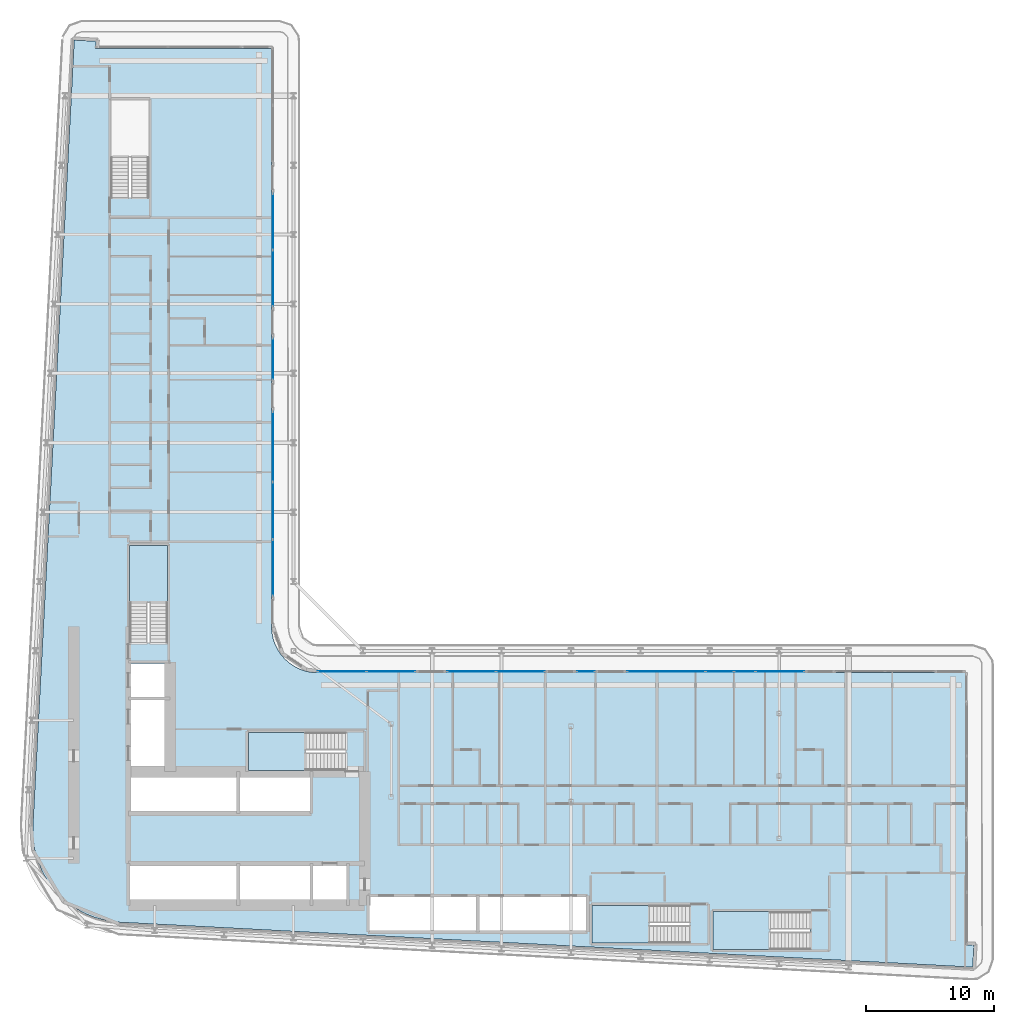
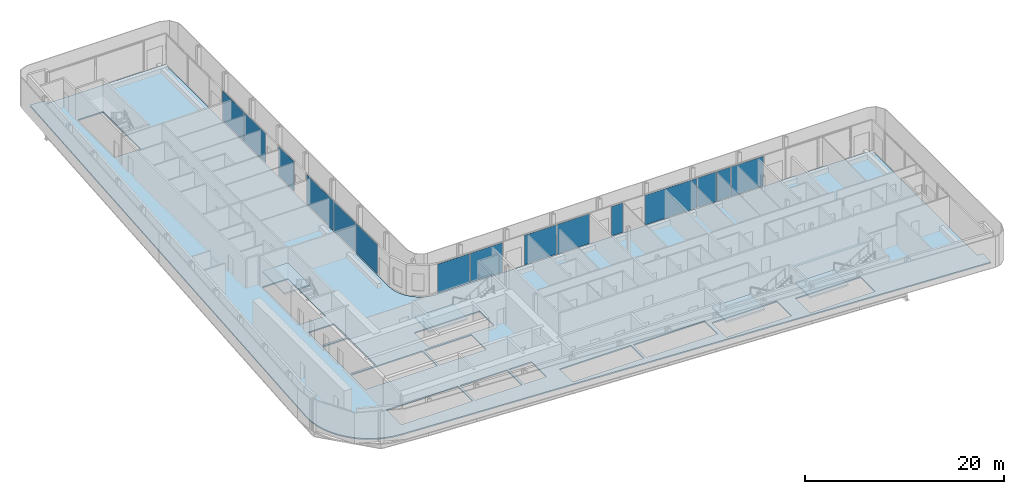
# One storey, part 10 of 25: 15 plates, 5 slabs, 13 elements without a shape of their own.
"""IFC4 building model written with IfcOpenShell, lengths in metres."""

from ifc_helpers import new_model, si_unit, direction, frame, origin, origin_2d, place, context, subcontext, project, spatial, polyline, rectangle, outline, extrude, material, layer, layer_set, type_object, element, aggregate, save


model = new_model("IFC4")

# Units and contexts
model_context = context("Model", 3, precision=1e-05, world=origin(), true_north=direction((0.0, 1.0)))
body_context = subcontext(model_context, "Body", "Model", "MODEL_VIEW")
ifc_project = project(units=[si_unit("LENGTHUNIT", "METRE"), si_unit("AREAUNIT", "SQUARE_METRE"), si_unit("VOLUMEUNIT", "CUBIC_METRE"), si_unit("PLANEANGLEUNIT", "RADIAN"), si_unit("MASSUNIT", "GRAM", prefix="KILO")], contexts=[model_context])

# Site, building, storey
site_placement = place(None, origin())
site = spatial("IfcSite", under=ifc_project, at=site_placement, CompositionType="ELEMENT")
building_placement = place(site_placement, origin())
building = spatial("IfcBuilding", under=site, at=building_placement, Name="Kheshtan School and Residences Tower", CompositionType="ELEMENT")
storey_placement = place(building_placement, frame((0.0, 0.0, 113.60009765625)))
storey = spatial("IfcBuildingStorey", under=building, at=storey_placement, Name="L26", CompositionType="ELEMENT", Elevation=113.60009765625)

# Curtain wall, plates
ifc_material_1 = material(Name="Clear low-e glass in thermally broken aluminium frame", Category="aluminium")
ifc_layer_1 = layer(ifc_material_1, 0.199951171875)
ifc_layer_set_1 = layer_set([ifc_layer_1], Name="Curtain wall CW-L")
curtain_wall_type = type_object("IfcCurtainWallType", Name="Curtain wall CW-L", PredefinedType="NOTDEFINED", material=ifc_layer_set_1)
curtain_wall_1_placement = place(storey_placement, origin())
curtain_wall_1 = element("IfcCurtainWall", 1, at=curtain_wall_1_placement, inside=storey, type_object=curtain_wall_type, Name="Curtain wall CWL4e", PredefinedType="NOTDEFINED")
ifc_layer_2 = layer(ifc_material_1, 0.031982421875)
ifc_layer_set_2 = layer_set([ifc_layer_2], Name="CW-L glass panel")
plate_type = type_object("IfcPlateType", Name="CW-L glass panel", PredefinedType="CURTAIN_PANEL", material=ifc_layer_set_2)
plate_1_placement = place(storey_placement, frame((46.0, 79.000732421875, 0.0), z_axis=(0.0, 0.0, 1.0), x_axis=(0.0, -1.0, 0.0)))
plate_1 = element("IfcPlate", 2, at=plate_1_placement, type_object=plate_type, Name="CWL4e panel 1.1", PredefinedType="CURTAIN_PANEL", context=body_context, shape_type="SweptSolid", body=[
    extrude(rectangle(XDim=4.34375, YDim=0.031982421875, at=origin_2d()), origin(), (0.0, 0.0, 1.0), 3.6298828125),
])
plate_2_placement = place(storey_placement, frame((46.0, 74.596923828125, 0.0), z_axis=(0.0, 0.0, 1.0), x_axis=(0.0, -1.0, 0.0)))
plate_2 = element("IfcPlate", 3, at=plate_2_placement, type_object=plate_type, Name="CWL4e panel 2.1", PredefinedType="CURTAIN_PANEL", context=body_context, shape_type="SweptSolid", body=[
    extrude(rectangle(XDim=4.34375, YDim=0.031982421875, at=origin_2d()), origin(), (0.0, 0.0, 1.0), 3.6298828125),
])
aggregate(curtain_wall_1, [plate_1, plate_2])

# Curtain wall, plate
curtain_wall_2_placement = place(storey_placement, origin())
curtain_wall_2 = element("IfcCurtainWall", 4, at=curtain_wall_2_placement, inside=storey, type_object=curtain_wall_type, Name="Curtain wall CWL4f", PredefinedType="NOTDEFINED")
plate_3_placement = place(storey_placement, frame((46.0, 68.31494140625, 0.0), z_axis=(0.0, 0.0, 1.0), x_axis=(0.0, -1.0, 0.0)))
plate_3 = element("IfcPlate", 5, at=plate_3_placement, type_object=plate_type, Name="CWL4f panel 1.1", PredefinedType="CURTAIN_PANEL", context=body_context, shape_type="SweptSolid", body=[
    extrude(rectangle(XDim=3.179931640625, YDim=0.031982421875, at=origin_2d()), origin(), (0.0, 0.0, 1.0), 3.6298828125),
])
aggregate(curtain_wall_2, [plate_3])

curtain_wall_3_placement = place(storey_placement, origin())
curtain_wall_3 = element("IfcCurtainWall", 6, at=curtain_wall_3_placement, inside=storey, type_object=curtain_wall_type, Name="Curtain wall CWL4g", PredefinedType="NOTDEFINED")
plate_4_placement = place(storey_placement, frame((46.0, 61.481201171875, 0.0), z_axis=(0.0, 0.0, 1.0), x_axis=(0.0, -1.0, 0.0)))
plate_4 = element("IfcPlate", 7, at=plate_4_placement, type_object=plate_type, Name="CWL4g panel 1.1", PredefinedType="CURTAIN_PANEL", context=body_context, shape_type="SweptSolid", body=[
    extrude(rectangle(XDim=5.447509765625, YDim=0.031982421875, at=origin_2d()), origin(), (0.0, 0.0, 1.0), 3.6298828125),
])
aggregate(curtain_wall_3, [plate_4])

# Curtain wall, plates
curtain_wall_4_placement = place(storey_placement, origin())
curtain_wall_4 = element("IfcCurtainWall", 8, at=curtain_wall_4_placement, inside=storey, type_object=curtain_wall_type, Name="Curtain wall CWL4b", PredefinedType="NOTDEFINED")
plate_5_placement = place(storey_placement, frame((46.0, 56.49560546875, 0.0), z_axis=(0.0, 0.0, 1.0), x_axis=(0.0, -1.0, 0.0)))
plate_5 = element("IfcPlate", 9, at=plate_5_placement, type_object=plate_type, Name="CWL4b panel 1.1", PredefinedType="CURTAIN_PANEL", context=body_context, shape_type="SweptSolid", body=[
    extrude(rectangle(XDim=4.40380859375, YDim=0.031982421875, at=origin_2d()), origin(), (0.0, 0.0, 1.0), 3.6298828125),
])
plate_6_placement = place(storey_placement, frame((46.0, 52.061767578125, 0.0), z_axis=(0.0, 0.0, 1.0), x_axis=(0.0, -1.0, 0.0)))
plate_6 = element("IfcPlate", 10, at=plate_6_placement, type_object=plate_type, Name="CWL4b panel 2.1", PredefinedType="CURTAIN_PANEL", context=body_context, shape_type="SweptSolid", body=[
    extrude(rectangle(XDim=4.34375, YDim=0.031982421875, at=origin_2d()), origin(), (0.0, 0.0, 1.0), 3.6298828125),
])
aggregate(curtain_wall_4, [plate_5, plate_6])

curtain_wall_5_placement = place(storey_placement, origin())
curtain_wall_5 = element("IfcCurtainWall", 11, at=curtain_wall_5_placement, inside=storey, type_object=curtain_wall_type, Name="Curtain wall CWL8", PredefinedType="NOTDEFINED")
plate_7_placement = place(storey_placement, frame((51.368408203125, 44.0, 0.0), z_axis=(0.0, 0.0, 1.0), x_axis=(1.0, 0.0, 0.0)))
plate_7 = element("IfcPlate", 12, at=plate_7_placement, type_object=plate_type, Name="CWL8 panel 1.1", PredefinedType="CURTAIN_PANEL", context=body_context, shape_type="SweptSolid", body=[
    extrude(rectangle(XDim=3.757080078125, YDim=0.031982421875, at=origin_2d()), origin(), (0.0, 0.0, 1.0), 3.6298828125),
])
plate_8_placement = place(storey_placement, frame((55.185546875, 44.0, 0.0), z_axis=(0.0, 0.0, 1.0), x_axis=(1.0, 0.0, 0.0)))
plate_8 = element("IfcPlate", 13, at=plate_8_placement, type_object=plate_type, Name="CWL8 panel 2.1", PredefinedType="CURTAIN_PANEL", context=body_context, shape_type="SweptSolid", body=[
    extrude(rectangle(XDim=3.757080078125, YDim=0.031982421875, at=origin_2d()), origin(), (0.0, 0.0, 1.0), 3.6298828125),
])
aggregate(curtain_wall_5, [plate_7, plate_8])

curtain_wall_6_placement = place(storey_placement, origin())
curtain_wall_6 = element("IfcCurtainWall", 14, at=curtain_wall_6_placement, inside=storey, type_object=curtain_wall_type, Name="Curtain wall CWL8", PredefinedType="NOTDEFINED")
plate_9_placement = place(storey_placement, frame((61.46240234375, 44.0, 0.0), z_axis=(0.0, 0.0, 1.0), x_axis=(1.0, 0.0, 0.0)))
plate_9 = element("IfcPlate", 15, at=plate_9_placement, type_object=plate_type, Name="CWL8 panel 1.1", PredefinedType="CURTAIN_PANEL", context=body_context, shape_type="SweptSolid", body=[
    extrude(rectangle(XDim=3.757080078125, YDim=0.031982421875, at=origin_2d()), origin(), (0.0, 0.0, 1.0), 3.6298828125),
])
plate_10_placement = place(storey_placement, frame((65.279541015625, 44.0, 0.0), z_axis=(0.0, 0.0, 1.0), x_axis=(1.0, 0.0, 0.0)))
plate_10 = element("IfcPlate", 16, at=plate_10_placement, type_object=plate_type, Name="CWL8 panel 2.1", PredefinedType="CURTAIN_PANEL", context=body_context, shape_type="SweptSolid", body=[
    extrude(rectangle(XDim=3.757080078125, YDim=0.031982421875, at=origin_2d()), origin(), (0.0, 0.0, 1.0), 3.6298828125),
])
aggregate(curtain_wall_6, [plate_9, plate_10])

# Curtain wall, plate
curtain_wall_7_placement = place(storey_placement, origin())
curtain_wall_7 = element("IfcCurtainWall", 17, at=curtain_wall_7_placement, inside=storey, type_object=curtain_wall_type, Name="Curtain wall CWL8a", PredefinedType="NOTDEFINED")
plate_11_placement = place(storey_placement, frame((70.367919921875, 44.0, 0.0), z_axis=(0.0, 0.0, 1.0), x_axis=(1.0, 0.0, 0.0)))
plate_11 = element("IfcPlate", 18, at=plate_11_placement, type_object=plate_type, Name="CWL8a panel 1.1", PredefinedType="CURTAIN_PANEL", context=body_context, shape_type="SweptSolid", body=[
    extrude(rectangle(XDim=1.3798828125, YDim=0.031982421875, at=origin_2d()), origin(), (0.0, 0.0, 1.0), 3.6298828125),
])
aggregate(curtain_wall_7, [plate_11])

curtain_wall_8_placement = place(storey_placement, origin())
curtain_wall_8 = element("IfcCurtainWall", 19, at=curtain_wall_8_placement, inside=storey, type_object=curtain_wall_type, Name="Curtain wall CWL8d", PredefinedType="NOTDEFINED")
plate_12_placement = place(storey_placement, frame((76.614990234375, 44.0, 0.0), z_axis=(0.0, 0.0, 1.0), x_axis=(1.0, 0.0, 0.0)))
plate_12 = element("IfcPlate", 20, at=plate_12_placement, type_object=plate_type, Name="CWL8d panel 1.1", PredefinedType="CURTAIN_PANEL", context=body_context, shape_type="SweptSolid", body=[
    extrude(rectangle(XDim=6.073974609375, YDim=0.031982421875, at=origin_2d()), origin(), (0.0, 0.0, 1.0), 3.6298828125),
])
aggregate(curtain_wall_8, [plate_12])

# Curtain wall, plates
curtain_wall_9_placement = place(storey_placement, origin())
curtain_wall_9 = element("IfcCurtainWall", 21, at=curtain_wall_9_placement, inside=storey, type_object=curtain_wall_type, Name="Curtain wall CWL8c", PredefinedType="NOTDEFINED")
plate_13_placement = place(storey_placement, frame((80.791015625, 44.0, 0.0), z_axis=(0.0, 0.0, 1.0), x_axis=(1.0, 0.0, 0.0)))
plate_13 = element("IfcPlate", 22, at=plate_13_placement, type_object=plate_type, Name="CWL8c panel 1.1", PredefinedType="CURTAIN_PANEL", context=body_context, shape_type="SweptSolid", body=[
    extrude(rectangle(XDim=2.157958984375, YDim=0.031982421875, at=origin_2d()), origin(), (0.0, 0.0, 1.0), 3.6298828125),
])
plate_14_placement = place(storey_placement, frame((82.7294921875, 44.0, 0.0), z_axis=(0.0, 0.0, 1.0), x_axis=(1.0, 0.0, 0.0)))
plate_14 = element("IfcPlate", 23, at=plate_14_placement, type_object=plate_type, Name="CWL8c panel 2.1", PredefinedType="CURTAIN_PANEL", context=body_context, shape_type="SweptSolid", body=[
    extrude(rectangle(XDim=1.59912109375, YDim=0.031982421875, at=origin_2d()), origin(), (0.0, 0.0, 1.0), 3.6298828125),
])
plate_15_placement = place(storey_placement, frame((85.467529296875, 44.0, 0.0), z_axis=(0.0, 0.0, 1.0), x_axis=(1.0, 0.0, 0.0)))
plate_15 = element("IfcPlate", 24, at=plate_15_placement, type_object=plate_type, Name="CWL8c panel 3.1", PredefinedType="CURTAIN_PANEL", context=body_context, shape_type="SweptSolid", body=[
    extrude(rectangle(XDim=3.757080078125, YDim=0.031982421875, at=origin_2d()), origin(), (0.0, 0.0, 1.0), 3.6298828125),
])
aggregate(curtain_wall_9, [plate_13, plate_14, plate_15])

# Slab
ifc_material_2 = material(Name="Concrete C40/50", Category="concrete")
ifc_layer_3 = layer(ifc_material_2, 0.14990234375)
ifc_layer_set_3 = layer_set([ifc_layer_3], Name="Floor slab 150 Concrete C40/50")
slab_type_1 = type_object("IfcSlabType", Name="Floor slab 150 Concrete C40/50", PredefinedType="FLOOR", material=ifc_layer_set_3)
slab_1_placement = place(storey_placement, frame((0.0, 0.0, -0.150146484375)))
element("IfcSlab", 25, at=slab_1_placement, inside=storey, type_object=slab_type_1, Name="Floor slab L26", PredefinedType="FLOOR", context=body_context, shape_type="SweptSolid", body=[
    extrude(outline(polyline([(27.718017578125, 29.200927734375), (27.466064453125, 30.093017578125), (27.466064453125, 30.093994140625), (27.3330078125, 31.013916015625), (27.320068359375, 31.965087890625), (27.320068359375, 31.970947265625), (30.5380859375, 93.10107421875), (30.5390625, 93.10791015625), (30.5419921875, 93.131103515625), (30.5419921875, 93.132080078125), (30.54296875, 93.132080078125), (31.137939453125, 93.10009765625), (31.138916015625, 93.10009765625), (31.138916015625, 93.09912109375), (31.138916015625, 93.094970703125), (31.138916015625, 93.093994140625), (31.139892578125, 93.093994140625), (31.139892578125, 93.093017578125), (31.14111328125, 93.093017578125), (31.14208984375, 93.093017578125), (31.14208984375, 93.093994140625), (31.14404296875, 93.095947265625), (31.14501953125, 93.096923828125), (31.14599609375, 93.097900390625), (31.14697265625, 93.097900390625), (31.14697265625, 93.09912109375), (31.14794921875, 93.09912109375), (31.14794921875, 93.10009765625), (31.14892578125, 93.10009765625), (31.152099609375, 93.10205078125), (31.155029296875, 93.10205078125), (31.156005859375, 93.10205078125), (31.156005859375, 93.10302734375), (31.156982421875, 93.10302734375), (31.162109375, 93.10302734375), (32.217041015625, 93.047119140625), (32.219970703125, 93.047119140625), (32.220947265625, 93.047119140625), (32.220947265625, 93.0458984375), (32.221923828125, 93.0458984375), (32.22607421875, 93.0458984375), (32.22607421875, 93.044921875), (32.22705078125, 93.044921875), (32.22705078125, 93.0439453125), (32.22802734375, 93.0439453125), (32.22802734375, 93.04296875), (32.22900390625, 93.04296875), (32.22998046875, 93.04296875), (32.22998046875, 93.0419921875), (32.23095703125, 93.0419921875), (32.23193359375, 93.0419921875), (32.23193359375, 93.041015625), (32.23388671875, 93.0390625), (32.235107421875, 93.0390625), (32.235107421875, 93.0380859375), (32.235107421875, 93.037109375), (32.236083984375, 93.037109375), (32.236083984375, 93.035888671875), (32.237060546875, 93.035888671875), (32.237060546875, 93.033935546875), (32.237060546875, 93.032958984375), (32.238037109375, 93.032958984375), (32.238037109375, 93.031982421875), (32.239013671875, 93.031982421875), (32.239013671875, 93.031005859375), (32.239013671875, 93.029052734375), (32.239013671875, 93.028076171875), (32.239990234375, 93.028076171875), (32.239990234375, 93.027099609375), (32.239990234375, 93.02197265625), (32.212890625, 92.52099609375), (32.212890625, 92.51806640625), (32.212890625, 92.51708984375), (32.2119140625, 92.51708984375), (32.2119140625, 92.51611328125), (32.2119140625, 92.511962890625), (32.2109375, 92.510009765625), (32.2099609375, 92.510009765625), (32.2099609375, 92.509033203125), (32.208984375, 92.509033203125), (32.208984375, 92.508056640625), (32.2080078125, 92.507080078125), (32.2060546875, 92.5048828125), (32.205078125, 92.50390625), (32.2041015625, 92.50390625), (32.2041015625, 92.5029296875), (32.2041015625, 92.501953125), (32.2041015625, 92.5009765625), (32.205078125, 92.5009765625), (32.205078125, 92.5), (32.2060546875, 92.5), (45.85498046875, 92.5), (45.860107421875, 92.4990234375), (45.864990234375, 92.498046875), (45.865966796875, 92.498046875), (45.868896484375, 92.49609375), (45.8740234375, 92.493896484375), (45.8779296875, 92.491943359375), (45.881103515625, 92.489990234375), (45.881103515625, 92.489013671875), (45.882080078125, 92.489013671875), (45.882080078125, 92.488037109375), (45.883056640625, 92.488037109375), (45.884033203125, 92.485107421875), (45.885009765625, 92.485107421875), (45.885009765625, 92.48388671875), (45.887939453125, 92.48291015625), (45.887939453125, 92.48193359375), (45.888916015625, 92.48193359375), (45.888916015625, 92.48095703125), (45.889892578125, 92.48095703125), (45.89208984375, 92.47802734375), (45.89404296875, 92.47412109375), (45.89599609375, 92.468994140625), (45.89794921875, 92.466064453125), (45.89794921875, 92.465087890625), (45.89892578125, 92.4599609375), (45.89990234375, 92.455078125), (45.89990234375, 47.429931640625), (45.927001953125, 47.030029296875), (46.01806640625, 46.570068359375), (46.01806640625, 46.569091796875), (46.169921875, 46.1201171875), (46.37890625, 45.697021484375), (46.638916015625, 45.30810546875), (46.949951171875, 44.950927734375), (46.950927734375, 44.949951171875), (47.30810546875, 44.638916015625), (47.697021484375, 44.37890625), (48.1201171875, 44.169921875), (48.569091796875, 44.01806640625), (48.570068359375, 44.01806640625), (49.030029296875, 43.927001953125), (49.429931640625, 43.89990234375), (99.85498046875, 43.89990234375), (99.864990234375, 43.89794921875), (99.865966796875, 43.89794921875), (99.868896484375, 43.89599609375), (99.8740234375, 43.89404296875), (99.8779296875, 43.89208984375), (99.881103515625, 43.889892578125), (99.881103515625, 43.888916015625), (99.882080078125, 43.888916015625), (99.882080078125, 43.887939453125), (99.883056640625, 43.887939453125), (99.884033203125, 43.885009765625), (99.885009765625, 43.885009765625), (99.885009765625, 43.884033203125), (99.887939453125, 43.883056640625), (99.887939453125, 43.882080078125), (99.888916015625, 43.882080078125), (99.888916015625, 43.881103515625), (99.889892578125, 43.881103515625), (99.89208984375, 43.8779296875), (99.89404296875, 43.8740234375), (99.89599609375, 43.868896484375), (99.89794921875, 43.865966796875), (99.89794921875, 43.864990234375), (99.89990234375, 43.85498046875), (99.89990234375, 22.708984375), (99.89990234375, 22.7080078125), (99.90087890625, 22.7080078125), (99.90087890625, 22.70703125), (99.902099609375, 22.70703125), (99.903076171875, 22.70703125), (99.903076171875, 22.7080078125), (99.905029296875, 22.7099609375), (99.906982421875, 22.7119140625), (99.907958984375, 22.7119140625), (99.907958984375, 22.712890625), (99.908935546875, 22.712890625), (99.908935546875, 22.714111328125), (99.909912109375, 22.714111328125), (99.912109375, 22.715087890625), (99.9130859375, 22.716064453125), (99.916015625, 22.716064453125), (99.9169921875, 22.716064453125), (99.9169921875, 22.717041015625), (99.91796875, 22.717041015625), (99.923095703125, 22.717041015625), (100.5380859375, 22.68408203125), (100.541015625, 22.68408203125), (100.5419921875, 22.68408203125), (100.5419921875, 22.68310546875), (100.54296875, 22.68310546875), (100.547119140625, 22.68310546875), (100.547119140625, 22.681884765625), (100.548095703125, 22.681884765625), (100.548095703125, 22.680908203125), (100.549072265625, 22.680908203125), (100.549072265625, 22.679931640625), (100.550048828125, 22.679931640625), (100.551025390625, 22.679931640625), (100.551025390625, 22.678955078125), (100.552001953125, 22.678955078125), (100.552978515625, 22.678955078125), (100.552978515625, 22.677978515625), (100.554931640625, 22.676025390625), (100.555908203125, 22.676025390625), (100.555908203125, 22.675048828125), (100.555908203125, 22.674072265625), (100.556884765625, 22.674072265625), (100.556884765625, 22.673095703125), (100.55810546875, 22.673095703125), (100.55810546875, 22.6708984375), (100.55810546875, 22.669921875), (100.55908203125, 22.669921875), (100.55908203125, 22.6689453125), (100.56005859375, 22.6689453125), (100.56005859375, 22.66796875), (100.56005859375, 22.666015625), (100.56005859375, 22.6650390625), (100.56103515625, 22.6650390625), (100.56103515625, 22.6640625), (100.56103515625, 22.658935546875), (100.5048828125, 21.60205078125), (100.5048828125, 21.59912109375), (100.5048828125, 21.597900390625), (100.50390625, 21.597900390625), (100.50390625, 21.596923828125), (100.50390625, 21.593017578125), (100.5029296875, 21.592041015625), (100.5029296875, 21.591064453125), (100.501953125, 21.591064453125), (100.501953125, 21.590087890625), (100.5009765625, 21.590087890625), (100.5009765625, 21.589111328125), (100.5, 21.587890625), (100.498046875, 21.5859375), (100.4970703125, 21.5849609375), (100.49609375, 21.5849609375), (100.49609375, 21.583984375), (100.49609375, 21.5830078125), (100.49609375, 21.58203125), (100.4970703125, 21.58203125), (100.4970703125, 21.5810546875), (100.498046875, 21.5810546875), (100.4990234375, 21.5810546875), (100.5, 21.5810546875), (100.5, 21.580078125), (100.468017578125, 20.985107421875), (100.468017578125, 20.98388671875), (100.467041015625, 20.98388671875), (100.443115234375, 20.98291015625), (100.43798828125, 20.98291015625), (34.056884765625, 24.47802734375), (33.114990234375, 24.590087890625), (32.215087890625, 24.819091796875), (32.214111328125, 24.819091796875), (31.35205078125, 25.1630859375), (30.541015625, 25.616943359375), (29.799072265625, 26.1708984375), (29.799072265625, 26.172119140625), (29.798095703125, 26.172119140625), (29.134033203125, 26.820068359375), (29.134033203125, 26.821044921875), (29.133056640625, 26.821044921875), (28.55908203125, 27.550048828125), (28.0849609375, 28.345947265625), (27.718017578125, 29.200927734375)]), holes=[polyline([(99.89990234375, 21.5869140625), (99.89990234375, 21.5830078125), (99.89990234375, 21.58203125), (99.90087890625, 21.58203125), (99.90087890625, 21.5810546875), (99.902099609375, 21.5810546875), (99.906005859375, 21.5810546875), (99.906982421875, 21.5810546875), (99.906982421875, 21.58203125), (99.907958984375, 21.58203125), (99.907958984375, 21.5830078125), (99.907958984375, 21.583984375), (99.906982421875, 21.583984375), (99.905029296875, 21.5859375), (99.904052734375, 21.5869140625), (99.903076171875, 21.587890625), (99.903076171875, 21.589111328125), (99.902099609375, 21.589111328125), (99.90087890625, 21.589111328125), (99.90087890625, 21.587890625), (99.89990234375, 21.587890625), (99.89990234375, 21.5869140625)]), polyline([(31.138916015625, 92.506103515625), (31.138916015625, 92.501953125), (31.138916015625, 92.5009765625), (31.139892578125, 92.5009765625), (31.139892578125, 92.5), (31.14111328125, 92.5), (31.14501953125, 92.5), (31.14599609375, 92.5), (31.14599609375, 92.5009765625), (31.14697265625, 92.5009765625), (31.14697265625, 92.501953125), (31.14697265625, 92.5029296875), (31.14599609375, 92.5029296875), (31.14501953125, 92.50390625), (31.14404296875, 92.5048828125), (31.14306640625, 92.506103515625), (31.14208984375, 92.507080078125), (31.14208984375, 92.508056640625), (31.14111328125, 92.508056640625), (31.139892578125, 92.508056640625), (31.139892578125, 92.507080078125), (31.138916015625, 92.507080078125), (31.138916015625, 92.506103515625)]), polyline([(34.875, 28.925048828125), (34.875, 25.925048828125), (43.175048828125, 25.925048828125), (43.175048828125, 28.925048828125), (34.875, 28.925048828125)]), polyline([(43.425048828125, 25.925048828125), (48.875, 25.925048828125), (48.875, 28.925048828125), (43.425048828125, 28.925048828125), (43.425048828125, 25.925048828125)]), polyline([(43.175048828125, 36.074951171875), (34.875, 36.074951171875), (34.875, 33.074951171875), (43.175048828125, 33.074951171875), (43.175048828125, 36.074951171875)]), polyline([(34.875, 41.77490234375), (34.875, 36.324951171875), (37.875, 36.324951171875), (37.875, 41.77490234375), (34.875, 41.77490234375)]), polyline([(34.875, 44.625), (34.875, 42.02490234375), (37.875, 42.02490234375), (37.875, 44.625), (34.875, 44.625)]), polyline([(37.800048828125, 46.25), (37.800048828125, 53.81005859375), (34.85009765625, 53.81005859375), (34.85009765625, 46.260009765625), (36.25, 46.260009765625), (36.25, 46.25), (37.800048828125, 46.25)]), polyline([(33.39990234375, 88.4599609375), (33.39990234375, 80.909912109375), (34.800048828125, 80.909912109375), (34.800048828125, 80.89990234375), (36.35009765625, 80.89990234375), (36.35009765625, 88.4599609375), (33.39990234375, 88.4599609375)]), polyline([(87.81005859375, 22.35009765625), (87.81005859375, 23.75), (87.820068359375, 23.75), (87.820068359375, 25.300048828125), (80.260009765625, 25.300048828125), (80.260009765625, 22.35009765625), (87.81005859375, 22.35009765625)]), polyline([(70.85009765625, 22.85009765625), (78.39990234375, 22.85009765625), (78.39990234375, 24.25), (78.409912109375, 24.25), (78.409912109375, 25.800048828125), (70.85009765625, 25.800048828125), (70.85009765625, 22.85009765625)]), polyline([(61.824951171875, 26.425048828125), (53.52490234375, 26.425048828125), (53.52490234375, 23.824951171875), (61.824951171875, 23.824951171875), (61.824951171875, 26.425048828125)]), polyline([(62.074951171875, 23.824951171875), (70.375, 23.824951171875), (70.375, 26.425048828125), (62.074951171875, 26.425048828125), (62.074951171875, 23.824951171875)]), polyline([(49.125, 28.925048828125), (49.125, 25.925048828125), (51.72509765625, 25.925048828125), (51.72509765625, 28.925048828125), (49.125, 28.925048828125)]), polyline([(43.425048828125, 33.074951171875), (48.875, 33.074951171875), (48.875, 36.074951171875), (43.425048828125, 36.074951171875), (43.425048828125, 33.074951171875)]), polyline([(51.64990234375, 39.25), (44.090087890625, 39.25), (44.090087890625, 36.300048828125), (51.639892578125, 36.300048828125), (51.639892578125, 37.699951171875), (51.64990234375, 37.699951171875), (51.64990234375, 39.25)])]), origin(), (0.0, 0.0, 1.0), 0.150146484375),
])

# Stair, slab
stair_type = type_object("IfcStairType", Name="Exit stair, half-turn", PredefinedType="HALF_TURN_STAIR", material=ifc_material_2)
stair_1_placement = place(storey_placement, origin())
stair_1 = element("IfcStair", 26, at=stair_1_placement, inside=storey, type_object=stair_type, Name="L26 Protected Exit Stair ST1", PredefinedType="HALF_TURN_STAIR")
ifc_layer_4 = layer(ifc_material_2, 0.199951171875)
ifc_layer_set_4 = layer_set([ifc_layer_4], Name="Stair landing 200 Concrete C40/50")
slab_type_2 = type_object("IfcSlabType", Name="Stair landing 200 Concrete C40/50", PredefinedType="LANDING", material=ifc_layer_set_4)
slab_2_placement = place(storey_placement, frame((0.0, 0.0, 1.75)))
slab_2 = element("IfcSlab", 27, at=slab_2_placement, type_object=slab_type_2, Name="ST1 landing 1", PredefinedType="LANDING", context=body_context, shape_type="SweptSolid", body=[
    extrude(outline(polyline([(48.570068359375, 39.25), (44.090087890625, 39.25), (44.090087890625, 36.300048828125), (48.570068359375, 36.300048828125), (48.570068359375, 39.25)])), origin(), (0.0, 0.0, 1.0), 0.199951171875),
])
aggregate(stair_1, [slab_2])

stair_2_placement = place(storey_placement, origin())
stair_2 = element("IfcStair", 28, at=stair_2_placement, inside=storey, type_object=stair_type, Name="L26 Protected Exit Stair ST2", PredefinedType="HALF_TURN_STAIR")
slab_3_placement = place(storey_placement, frame((0.0, 0.0, 1.75)))
slab_3 = element("IfcSlab", 29, at=slab_3_placement, type_object=slab_type_2, Name="ST2 landing 1", PredefinedType="LANDING", context=body_context, shape_type="SweptSolid", body=[
    extrude(outline(polyline([(37.800048828125, 49.330078125), (37.800048828125, 53.81005859375), (34.85009765625, 53.81005859375), (34.85009765625, 49.330078125), (37.800048828125, 49.330078125)])), origin(), (0.0, 0.0, 1.0), 0.199951171875),
])
aggregate(stair_2, [slab_3])

stair_3_placement = place(storey_placement, origin())
stair_3 = element("IfcStair", 30, at=stair_3_placement, inside=storey, type_object=stair_type, Name="L26 Protected Exit Stair ST4", PredefinedType="HALF_TURN_STAIR")
slab_4_placement = place(storey_placement, frame((0.0, 0.0, 1.75)))
slab_4 = element("IfcSlab", 31, at=slab_4_placement, type_object=slab_type_2, Name="ST4 landing 1", PredefinedType="LANDING", context=body_context, shape_type="SweptSolid", body=[
    extrude(outline(polyline([(84.739990234375, 25.300048828125), (80.260009765625, 25.300048828125), (80.260009765625, 22.35009765625), (84.739990234375, 22.35009765625), (84.739990234375, 25.300048828125)])), origin(), (0.0, 0.0, 1.0), 0.199951171875),
])
aggregate(stair_3, [slab_4])

stair_4_placement = place(storey_placement, origin())
stair_4 = element("IfcStair", 32, at=stair_4_placement, inside=storey, type_object=stair_type, Name="L26 Protected Exit Stair ST5", PredefinedType="HALF_TURN_STAIR")
slab_5_placement = place(storey_placement, frame((0.0, 0.0, 1.75)))
slab_5 = element("IfcSlab", 33, at=slab_5_placement, type_object=slab_type_2, Name="ST5 landing 1", PredefinedType="LANDING", context=body_context, shape_type="SweptSolid", body=[
    extrude(outline(polyline([(75.330078125, 25.800048828125), (70.85009765625, 25.800048828125), (70.85009765625, 22.85009765625), (75.330078125, 22.85009765625), (75.330078125, 25.800048828125)])), origin(), (0.0, 0.0, 1.0), 0.199951171875),
])
aggregate(stair_4, [slab_5])

save(model, "model.ifc")
